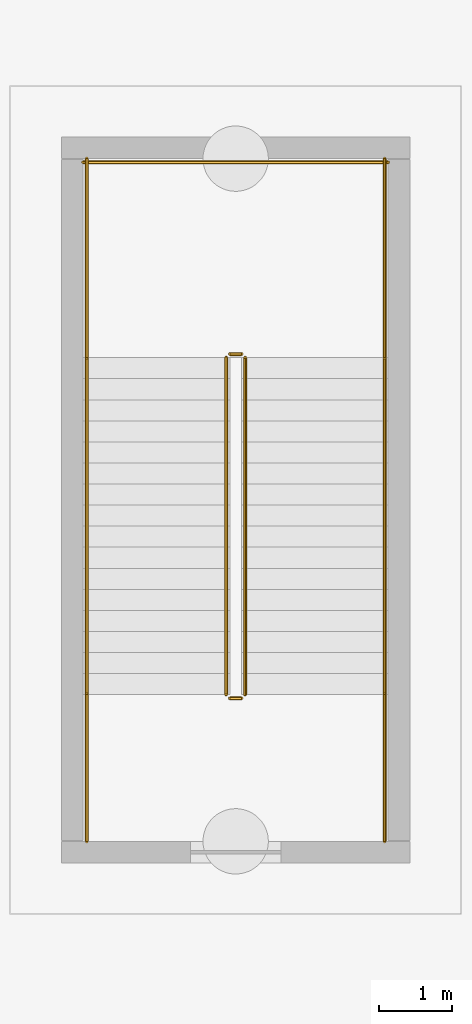
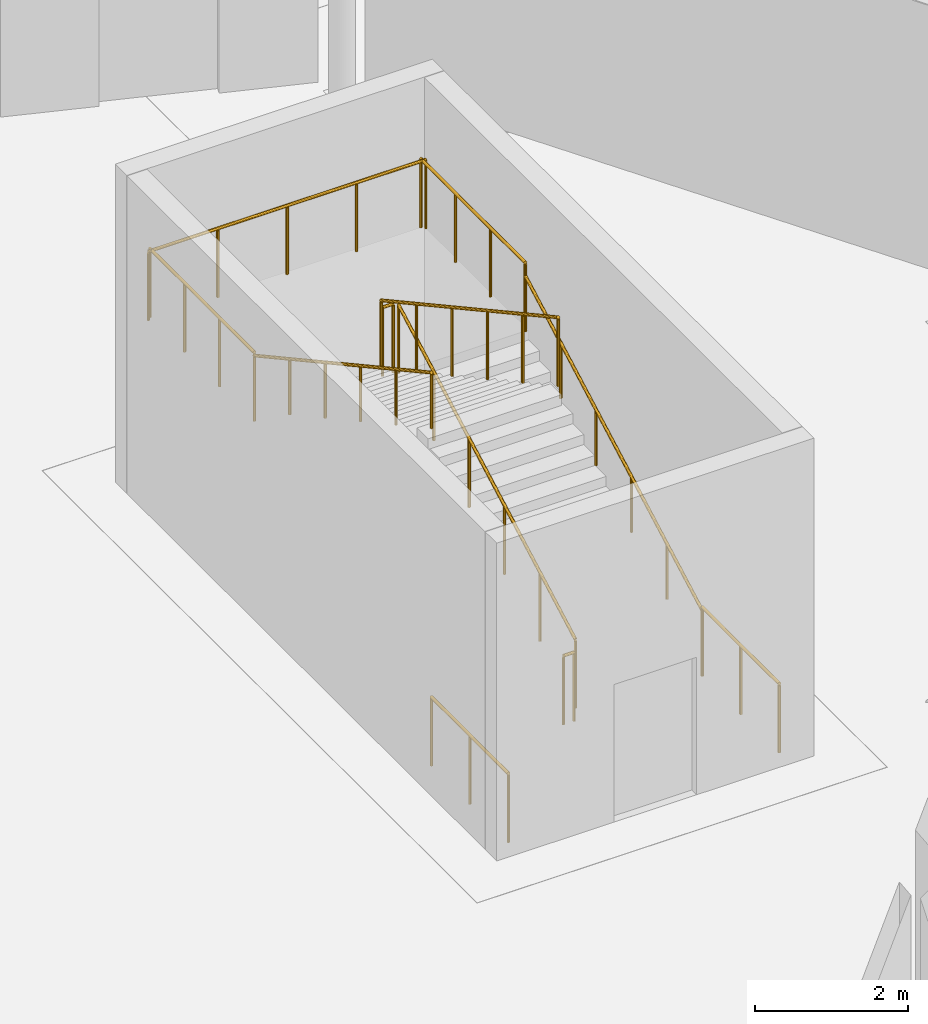
# One storey, part 47 of 48: 11 railings.
"""IFC4 building model written with IfcOpenShell, lengths in metres."""

import ifcopenshell
import ifcopenshell.guid

model = None  # the IFC model being written
_history = None  # IfcOwnerHistory: only IFC2X3 demands one
_inside = {}  # id of a spatial element -> (the spatial element, [elements in it])
_under = {}  # id of a project, library or spatial element -> (it, [spatial elements below it])
_declared = {}  # id of a project -> (the project, [libraries it declares])
_typed = {}  # id of a type object -> (the type object, [elements of that type])
_made_of = {}  # id of a material, layer set ... -> (it, [elements and type objects made of it])


def new_model(schema):
    """Start an empty IFC model of exactly this schema.

    Asked for "IFC4X3", IfcOpenShell would pick the latest addendum, in which some entities
    have other attributes; the version numbers below select the first issue.
    IFC2X3 requires an IfcOwnerHistory on every rooted entity: one is made here for all.
    """
    global model, _history
    if schema == "IFC4X3":
        model = ifcopenshell.file(schema_version=(4, 3, 0, 0))
    else:
        model = ifcopenshell.file(schema=schema)
    _inside.clear()
    _under.clear()
    _declared.clear()
    _typed.clear()
    _made_of.clear()
    _history = None
    if model.schema == "IFC2X3":
        org = make("IfcOrganization", Name="unknown")
        user = make(
            "IfcPersonAndOrganization",
            ThePerson=make("IfcPerson", FamilyName="unknown"),
            TheOrganization=org,
        )
        app = make(
            "IfcApplication",
            ApplicationDeveloper=org,
            Version="unknown",
            ApplicationFullName="unknown",
            ApplicationIdentifier="unknown",
        )
        _history = make(
            "IfcOwnerHistory",
            OwningUser=user,
            OwningApplication=app,
            ChangeAction="ADDED",
            CreationDate=0,
        )
    return model


def make(cls, **values):
    """One entity of the class cls with the attributes given. An attribute that is None is left unset."""
    return model.create_entity(
        cls, **{name: value for name, value in values.items() if value is not None}
    )


def rooted(cls, **values):
    """An entity with a GlobalId (a new one), such as an element, a storey or a relation."""
    return make(cls, GlobalId=ifcopenshell.guid.new(), OwnerHistory=_history, **values)


def si_unit(unit_type, name, prefix=None):
    """IfcSIUnit, for example si_unit("LENGTHUNIT", "METRE", prefix="MILLI")."""
    return make("IfcSIUnit", UnitType=unit_type, Prefix=prefix, Name=name)


def assignment(units):
    """IfcUnitAssignment: the units of a project."""
    return None if units is None else make("IfcUnitAssignment", Units=units)


def point(xyz):
    """IfcCartesianPoint."""
    return None if xyz is None else make("IfcCartesianPoint", Coordinates=xyz)


def direction(xyz):
    """IfcDirection."""
    return None if xyz is None else make("IfcDirection", DirectionRatios=xyz)


def frame(location, z_axis=None, x_axis=None):
    """IfcAxis2Placement3D, a coordinate frame: its origin and axes. An axis left out is left unset."""
    return make(
        "IfcAxis2Placement3D",
        Location=point(location),
        Axis=direction(z_axis),
        RefDirection=direction(x_axis),
    )


def frame_2d(location, x_axis=None):
    """IfcAxis2Placement2D, a coordinate frame in the plane: its origin and x axis."""
    return make(
        "IfcAxis2Placement2D", Location=point(location), RefDirection=direction(x_axis)
    )


def origin():
    """The frame at (0, 0, 0) with its axes left unset."""
    return frame((0.0, 0.0, 0.0))


def origin_2d():
    """The frame at (0, 0) in the plane with its x axis left unset."""
    return frame_2d((0.0, 0.0))


def place(relative_to, where):
    """IfcLocalPlacement: puts the frame where relative to a parent placement (None: the world)."""
    return make(
        "IfcLocalPlacement", PlacementRelTo=relative_to, RelativePlacement=where
    )


def context(
    kind, dimensions, precision=None, world=None, true_north=None, identifier=None
):
    """IfcGeometricRepresentationContext, for example the 3D "Model" context."""
    return make(
        "IfcGeometricRepresentationContext",
        ContextIdentifier=identifier,
        ContextType=kind,
        CoordinateSpaceDimension=dimensions,
        Precision=precision,
        WorldCoordinateSystem=world,
        TrueNorth=true_north,
    )


def subcontext(parent, identifier, kind, view, scale=None):
    """IfcGeometricRepresentationSubContext, for example "Body" below "Model"."""
    return make(
        "IfcGeometricRepresentationSubContext",
        ContextIdentifier=identifier,
        ContextType=kind,
        ParentContext=parent,
        TargetScale=scale,
        TargetView=view,
    )


def project(units=None, contexts=None):
    """IfcProject with its units and contexts."""
    return rooted(
        "IfcProject",
        Name="project",
        RepresentationContexts=contexts,
        UnitsInContext=assignment(units),
    )


def spatial(cls, under=None, at=None, **own):
    """A site, building, storey or space (cls), placed at a placement, below another one or the project."""
    s = rooted(cls, ObjectPlacement=at, **own)
    if under is not None:
        _under.setdefault(under.id(), (under, []))[1].append(s)
    return s


def profile(cls, at=None, kind="AREA", **sizes):
    """A parametric profile (cls). Its sizes go by their IFC names, for example OverallWidth=200.0."""
    return make(cls, ProfileType=kind, Position=at, **sizes)


def circle(**sizes):
    """IfcCircleProfileDef."""
    return profile("IfcCircleProfileDef", **sizes)


def extrude(swept, where, along, depth):
    """IfcExtrudedAreaSolid: the profile swept, set in the frame where, extruded along a direction by depth."""
    return make(
        "IfcExtrudedAreaSolid",
        SweptArea=swept,
        Position=where,
        ExtrudedDirection=direction(along),
        Depth=depth,
    )


def shape(context_of_items, identifier, shape_type, items):
    """IfcShapeRepresentation: the items that make up one representation, for example the "Body"."""
    return make(
        "IfcShapeRepresentation",
        ContextOfItems=context_of_items,
        RepresentationIdentifier=identifier,
        RepresentationType=shape_type,
        Items=items,
    )


def material(Name=None, Category=None):
    """IfcMaterial."""
    return make("IfcMaterial", Name=Name, Category=Category)


def layer(
    of_material, thickness, ventilated=None, Name=None, Category=None, Priority=None
):
    """IfcMaterialLayer: one layer of a wall or slab, of a material (None: an air gap)."""
    return make(
        "IfcMaterialLayer",
        Material=of_material,
        LayerThickness=thickness,
        IsVentilated=ventilated,
        Name=Name,
        Category=Category,
        Priority=Priority,
    )


def layer_set(layers, Name=None):
    """IfcMaterialLayerSet."""
    return make("IfcMaterialLayerSet", MaterialLayers=layers, LayerSetName=Name)


def made_of(thing, what):
    """Note that an element or type object is made of a material, layer set ...; save() writes the relation."""
    if what is not None:
        _made_of.setdefault(what.id(), (what, []))[1].append(thing)
    return thing


def type_object(cls, material=None, **own):
    """A type object (cls), such as IfcWallType, which elements share."""
    return made_of(rooted(cls, **own), material)


def element(
    cls,
    number,
    at=None,
    inside=None,
    cuts=None,
    type_object=None,
    material=None,
    context=None,
    identifier="Body",
    shape_type=None,
    held_by="IfcProductDefinitionShape",
    body=None,
    shapes=None,
    **own,
):
    """One element of the class cls, such as IfcWall. Its Tag is "e" and its number.

    at: its placement. inside: the storey or other place that contains it. cuts: it is an
    opening in that element (IfcRelVoidsElement). A single representation is given by context,
    identifier, shape_type and body (its items); several are given by shapes. held_by: the class
    of the entity that holds the representations. save() writes the other relations.
    """
    e = rooted(cls, Tag="e%d" % number, ObjectPlacement=at, **own)
    if body is not None:
        shapes = [shape(context, identifier, shape_type, body)]
    if shapes is not None:
        e.Representation = make(held_by, Representations=shapes)
    if inside is not None:
        _inside.setdefault(inside.id(), (inside, []))[1].append(e)
    if cuts is not None:
        rooted(
            "IfcRelVoidsElement", RelatingBuildingElement=cuts, RelatedOpeningElement=e
        )
    if type_object is not None:
        _typed.setdefault(type_object.id(), (type_object, []))[1].append(e)
    return made_of(e, material)


def aggregate(whole, parts):
    """IfcRelAggregates: a whole, such as a stair, and the parts it consists of."""
    return rooted("IfcRelAggregates", RelatingObject=whole, RelatedObjects=parts)


def save(model, path):
    """Write the relations noted so far, then the file.

    IfcRelAggregates (storeys below a building ...), IfcRelContainedInSpatialStructure (elements
    in a storey), IfcRelDefinesByType, IfcRelAssociatesMaterial and IfcRelDeclares: one each for
    every whole, place, type object, material and project.
    """
    for whole, parts in _under.values():
        aggregate(whole, parts)
    for where, things in _inside.values():
        rooted(
            "IfcRelContainedInSpatialStructure",
            RelatedElements=things,
            RelatingStructure=where,
        )
    for kind, things in _typed.values():
        rooted("IfcRelDefinesByType", RelatedObjects=things, RelatingType=kind)
    for what, things in _made_of.values():
        rooted("IfcRelAssociatesMaterial", RelatedObjects=things, RelatingMaterial=what)
    for by, libraries in _declared.values():
        rooted("IfcRelDeclares", RelatingContext=by, RelatedDefinitions=libraries)
    model.write(path)


model = new_model("IFC4")

# Units and contexts
model_context = context("Model", 3, precision=1e-05, world=origin(), true_north=direction((0.0, 1.0)))
body_context = subcontext(model_context, "Body", "Model", "MODEL_VIEW")
ifc_project = project(units=[si_unit("LENGTHUNIT", "METRE"), si_unit("AREAUNIT", "SQUARE_METRE"), si_unit("VOLUMEUNIT", "CUBIC_METRE"), si_unit("PLANEANGLEUNIT", "RADIAN"), si_unit("MASSUNIT", "GRAM", prefix="KILO")], contexts=[model_context])

# Site, building, storey
site_placement = place(None, origin())
site = spatial("IfcSite", under=ifc_project, at=site_placement, CompositionType="ELEMENT")
building_placement = place(site_placement, origin())
building = spatial("IfcBuilding", under=site, at=building_placement, Name="Sarnbrook Museum", CompositionType="ELEMENT")
storey_placement = place(building_placement, frame((0.0, 0.0, -5.39990234375)))
storey = spatial("IfcBuildingStorey", under=building, at=storey_placement, Name="B1", CompositionType="ELEMENT", Elevation=-5.39990234375)

# Railings
ifc_material = material(Name="Brushed Stainless Steel Grade 316", Category="steel")
ifc_layer_1 = layer(ifc_material, 0.050048828125)
ifc_layer_set_1 = layer_set([ifc_layer_1], Name="Brushed Stainless Steel Grade 316")
railing_type_1 = type_object("IfcRailingType", Name="Guard_Int1120", PredefinedType="BALUSTRADE", material=ifc_layer_set_1)
railing_1_placement = place(storey_placement, frame((143.929931640625, 82.52001953125, 0.15869140625)))
element("IfcRailing", 1, at=railing_1_placement, inside=storey, type_object=railing_type_1, Name="B1 ST7 stair guard 1", PredefinedType="BALUSTRADE", context=body_context, shape_type="SweptSolid", body=[
    extrude(circle(Radius=0.02392578125, at=origin_2d()), frame((0.0, 0.0, 1.09619140625), z_axis=(0.0, 0.877067103421, 0.480367875796), x_axis=(-1.0, 0.0, 0.0)), (0.0, 0.0, 1.0), 5.290283203125),
    extrude(circle(Radius=0.02099609375, at=origin_2d()), origin(), (0.0, 0.0, 1.0), 1.072021484375),
    extrude(circle(Radius=0.02099609375, at=origin_2d()), frame((0.0, 0.927978515625, 0.50830078125)), (0.0, 0.0, 1.0), 1.072021484375),
    extrude(circle(Radius=0.02099609375, at=origin_2d()), frame((0.0, 1.85595703125, 1.0166015625)), (0.0, 0.0, 1.0), 1.072021484375),
    extrude(circle(Radius=0.02099609375, at=origin_2d()), frame((0.0, 2.783935546875, 1.524658203125)), (0.0, 0.0, 1.0), 1.072021484375),
    extrude(circle(Radius=0.02099609375, at=origin_2d()), frame((0.0, 3.7119140625, 2.032958984375)), (0.0, 0.0, 1.0), 1.072021484375),
    extrude(circle(Radius=0.02099609375, at=origin_2d()), frame((0.0, 4.639892578125, 2.541259765625)), (0.0, 0.0, 1.0), 1.072021484375),
])
railing_2_placement = place(storey_placement, frame((143.8798828125, 87.2099609375, 2.699951171875)))
element("IfcRailing", 2, at=railing_2_placement, inside=storey, type_object=railing_type_1, Name="B1 ST7 stair guard 2", PredefinedType="BALUSTRADE", context=body_context, shape_type="SweptSolid", body=[
    extrude(circle(Radius=0.02392578125, at=origin_2d()), frame((0.0, 0.0, 1.09619140625), z_axis=(-1.0, 0.0, 0.0), x_axis=(0.0, -1.0, 0.0)), (0.0, 0.0, 1.0), 0.159912109375),
    extrude(circle(Radius=0.02099609375, at=origin_2d()), origin(), (0.0, 0.0, 1.0), 1.072021484375),
    extrude(circle(Radius=0.02099609375, at=origin_2d()), frame((-0.159912109375, 0.0, 0.0)), (0.0, 0.0, 1.0), 1.072021484375),
])
for number, where, name in (
    (3, (145.85009765625, 87.159912109375, 2.699951171875), "B1 ST7 stair guard 3"),
    (4, (141.75, 87.159912109375, 2.699951171875), "B1 ST7 stair guard 4"),
):
    element("IfcRailing", number, at=place(storey_placement, frame(where)), inside=storey, type_object=railing_type_1, Name=name, PredefinedType="BALUSTRADE", context=body_context, shape_type="SweptSolid", body=[
        extrude(circle(Radius=0.02392578125, at=origin_2d()), frame((0.0, 0.0, 1.09619140625), z_axis=(0.0, 1.0, 0.0), x_axis=(-1.0, 0.0, 0.0)), (0.0, 0.0, 1.0), 2.739990234375),
        extrude(circle(Radius=0.02099609375, at=origin_2d()), origin(), (0.0, 0.0, 1.0), 1.072021484375),
        extrude(circle(Radius=0.02099609375, at=origin_2d()), frame((0.0, 0.913330078125, 0.0)), (0.0, 0.0, 1.0), 1.072021484375),
        extrude(circle(Radius=0.02099609375, at=origin_2d()), frame((0.0, 1.82666015625, 0.0)), (0.0, 0.0, 1.0), 1.072021484375),
        extrude(circle(Radius=0.02099609375, at=origin_2d()), frame((0.0, 2.739990234375, 0.0)), (0.0, 0.0, 1.0), 1.072021484375),
    ])
railing_3_placement = place(storey_placement, frame((145.89990234375, 89.85009765625, 2.699951171875)))
element("IfcRailing", 5, at=railing_3_placement, inside=storey, type_object=railing_type_1, Name="B1 ST7 stair guard 5", PredefinedType="BALUSTRADE", context=body_context, shape_type="SweptSolid", body=[
    extrude(circle(Radius=0.02392578125, at=origin_2d()), frame((0.0, 0.0, 1.09619140625), z_axis=(-1.0, 0.0, 0.0), x_axis=(0.0, -1.0, 0.0)), (0.0, 0.0, 1.0), 4.199951171875),
    extrude(circle(Radius=0.02099609375, at=origin_2d()), origin(), (0.0, 0.0, 1.0), 1.072021484375),
    extrude(circle(Radius=0.02099609375, at=origin_2d()), frame((-1.050048828125, 0.0, 0.0)), (0.0, 0.0, 1.0), 1.072021484375),
    extrude(circle(Radius=0.02099609375, at=origin_2d()), frame((-2.10009765625, 0.0, 0.0)), (0.0, 0.0, 1.0), 1.072021484375),
    extrude(circle(Radius=0.02099609375, at=origin_2d()), frame((-3.14990234375, 0.0, 0.0)), (0.0, 0.0, 1.0), 1.072021484375),
    extrude(circle(Radius=0.02099609375, at=origin_2d()), frame((-4.199951171875, 0.0, 0.0)), (0.0, 0.0, 1.0), 1.072021484375),
])
railing_4_placement = place(storey_placement, frame((143.669921875, 87.159912109375, 2.858642578125)))
element("IfcRailing", 6, at=railing_4_placement, inside=storey, type_object=railing_type_1, Name="B1 ST7 stair guard 6", PredefinedType="BALUSTRADE", context=body_context, shape_type="SweptSolid", body=[
    extrude(circle(Radius=0.02392578125, at=origin_2d()), frame((0.0, 0.0, 1.09619140625), z_axis=(0.0, -0.877067103421, 0.480367875796), x_axis=(1.0, 0.0, 0.0)), (0.0, 0.0, 1.0), 5.290283203125),
    extrude(circle(Radius=0.02099609375, at=origin_2d()), origin(), (0.0, 0.0, 1.0), 1.072021484375),
    extrude(circle(Radius=0.02099609375, at=origin_2d()), frame((0.0, -0.927978515625, 0.50830078125)), (0.0, 0.0, 1.0), 1.072021484375),
    extrude(circle(Radius=0.02099609375, at=origin_2d()), frame((0.0, -1.85595703125, 1.0166015625)), (0.0, 0.0, 1.0), 1.072021484375),
    extrude(circle(Radius=0.02099609375, at=origin_2d()), frame((0.0, -2.783935546875, 1.524658203125)), (0.0, 0.0, 1.0), 1.072021484375),
    extrude(circle(Radius=0.02099609375, at=origin_2d()), frame((0.0, -3.7119140625, 2.032958984375)), (0.0, 0.0, 1.0), 1.072021484375),
    extrude(circle(Radius=0.02099609375, at=origin_2d()), frame((0.0, -4.639892578125, 2.541259765625)), (0.0, 0.0, 1.0), 1.072021484375),
])
railing_5_placement = place(storey_placement, frame((143.8798828125, 82.469970703125, 0.0)))
element("IfcRailing", 7, at=railing_5_placement, inside=storey, type_object=railing_type_1, Name="B1 ST7 stair guard 7", PredefinedType="BALUSTRADE", context=body_context, shape_type="SweptSolid", body=[
    extrude(circle(Radius=0.02392578125, at=origin_2d()), frame((0.0, 0.0, 1.09619140625), z_axis=(-1.0, 0.0, 0.0), x_axis=(0.0, -1.0, 0.0)), (0.0, 0.0, 1.0), 0.159912109375),
    extrude(circle(Radius=0.02099609375, at=origin_2d()), origin(), (0.0, 0.0, 1.0), 1.072021484375),
    extrude(circle(Radius=0.02099609375, at=origin_2d()), frame((-0.159912109375, 0.0, 0.0)), (0.0, 0.0, 1.0), 1.072021484375),
])
for number, where, name in (
    (8, (145.85009765625, 80.5, 0.0), "B1 ST7 stair guard 8"),
    (9, (141.75, 80.5, 0.0), "B1 ST7 stair guard 9"),
):
    element("IfcRailing", number, at=place(storey_placement, frame(where)), inside=storey, type_object=railing_type_1, Name=name, PredefinedType="BALUSTRADE", context=body_context, shape_type="SweptSolid", body=[
        extrude(circle(Radius=0.02392578125, at=origin_2d()), frame((0.0, 0.0, 1.09619140625), z_axis=(0.0, 1.0, 0.0), x_axis=(-1.0, 0.0, 0.0)), (0.0, 0.0, 1.0), 2.02001953125),
        extrude(circle(Radius=0.02099609375, at=origin_2d()), origin(), (0.0, 0.0, 1.0), 1.072021484375),
        extrude(circle(Radius=0.02099609375, at=origin_2d()), frame((0.0, 1.010009765625, 0.0)), (0.0, 0.0, 1.0), 1.072021484375),
        extrude(circle(Radius=0.02099609375, at=origin_2d()), frame((0.0, 2.02001953125, 0.0)), (0.0, 0.0, 1.0), 1.072021484375),
    ])
ifc_layer_2 = layer(ifc_material, 0.048095703125)
ifc_layer_set_2 = layer_set([ifc_layer_2], Name="Brushed Stainless Steel Grade 316")
railing_type_2 = type_object("IfcRailingType", Name="Handrail_920", PredefinedType="HANDRAIL", material=ifc_layer_set_2)
railing_6_placement = place(storey_placement, frame((145.85009765625, 82.52001953125, 0.15869140625)))
element("IfcRailing", 10, at=railing_6_placement, inside=storey, type_object=railing_type_2, Name="B1 ST7 stair handrail 1", PredefinedType="HANDRAIL", context=body_context, shape_type="SweptSolid", body=[
    extrude(circle(Radius=0.02392578125, at=origin_2d()), frame((0.0, 0.0, 0.8857421875), z_axis=(0.0, 0.877067103421, 0.480367875796), x_axis=(-1.0, 0.0, 0.0)), (0.0, 0.0, 1.0), 5.290283203125),
    extrude(circle(Radius=0.02099609375, at=origin_2d()), origin(), (0.0, 0.0, 1.0), 0.86181640625),
    extrude(circle(Radius=0.02099609375, at=origin_2d()), frame((0.0, 0.927978515625, 0.50830078125)), (0.0, 0.0, 1.0), 0.86181640625),
    extrude(circle(Radius=0.02099609375, at=origin_2d()), frame((0.0, 1.85595703125, 1.0166015625)), (0.0, 0.0, 1.0), 0.86181640625),
    extrude(circle(Radius=0.02099609375, at=origin_2d()), frame((0.0, 2.783935546875, 1.524658203125)), (0.0, 0.0, 1.0), 0.86181640625),
    extrude(circle(Radius=0.02099609375, at=origin_2d()), frame((0.0, 3.7119140625, 2.032958984375)), (0.0, 0.0, 1.0), 0.86181640625),
    extrude(circle(Radius=0.02099609375, at=origin_2d()), frame((0.0, 4.639892578125, 2.541259765625)), (0.0, 0.0, 1.0), 0.86181640625),
])
railing_7_placement = place(storey_placement, frame((141.75, 87.159912109375, 2.858642578125)))
element("IfcRailing", 11, at=railing_7_placement, inside=storey, type_object=railing_type_2, Name="B1 ST7 stair handrail 2", PredefinedType="HANDRAIL", context=body_context, shape_type="SweptSolid", body=[
    extrude(circle(Radius=0.02392578125, at=origin_2d()), frame((0.0, 0.0, 0.8857421875), z_axis=(0.0, -0.877067103421, 0.480367875796), x_axis=(1.0, 0.0, 0.0)), (0.0, 0.0, 1.0), 5.290283203125),
    extrude(circle(Radius=0.02099609375, at=origin_2d()), origin(), (0.0, 0.0, 1.0), 0.86181640625),
    extrude(circle(Radius=0.02099609375, at=origin_2d()), frame((0.0, -0.927978515625, 0.50830078125)), (0.0, 0.0, 1.0), 0.86181640625),
    extrude(circle(Radius=0.02099609375, at=origin_2d()), frame((0.0, -1.85595703125, 1.0166015625)), (0.0, 0.0, 1.0), 0.86181640625),
    extrude(circle(Radius=0.02099609375, at=origin_2d()), frame((0.0, -2.783935546875, 1.524658203125)), (0.0, 0.0, 1.0), 0.86181640625),
    extrude(circle(Radius=0.02099609375, at=origin_2d()), frame((0.0, -3.7119140625, 2.032958984375)), (0.0, 0.0, 1.0), 0.86181640625),
    extrude(circle(Radius=0.02099609375, at=origin_2d()), frame((0.0, -4.639892578125, 2.541259765625)), (0.0, 0.0, 1.0), 0.86181640625),
])

save(model, "model.ifc")
